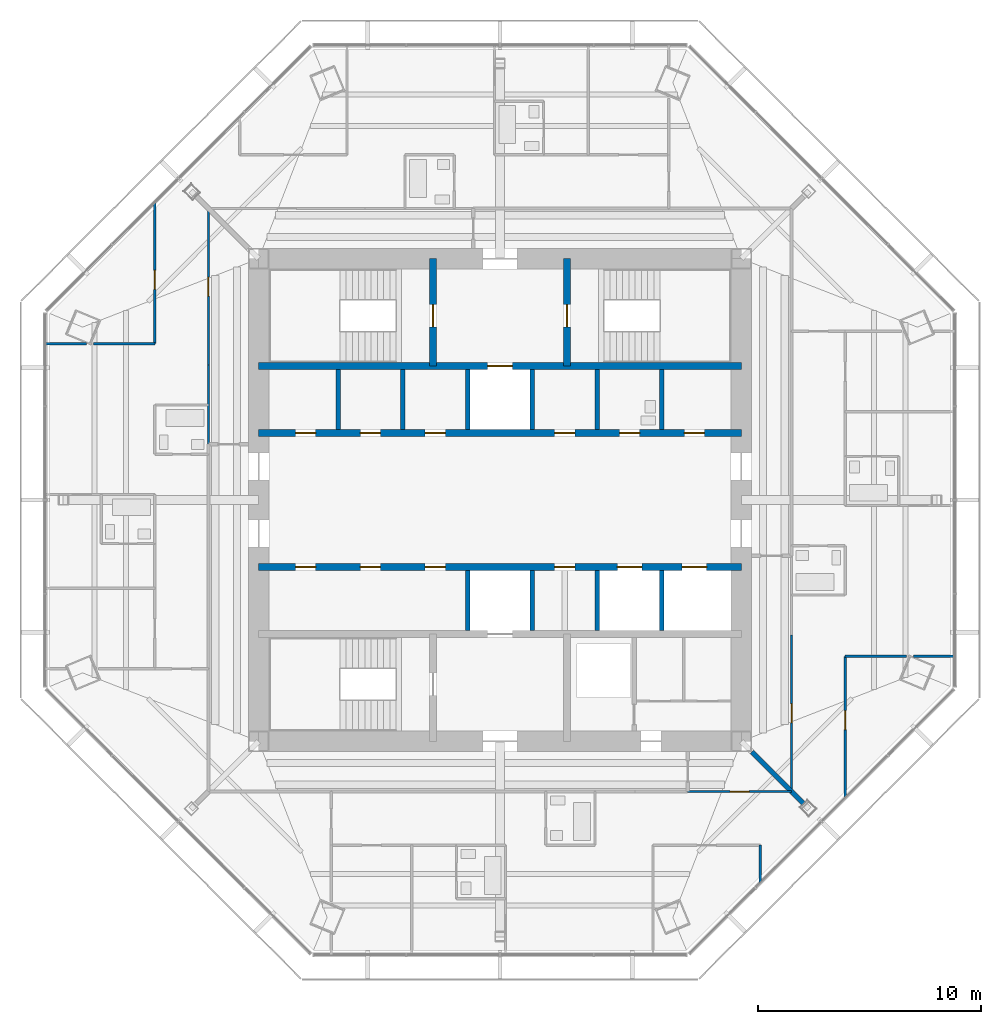
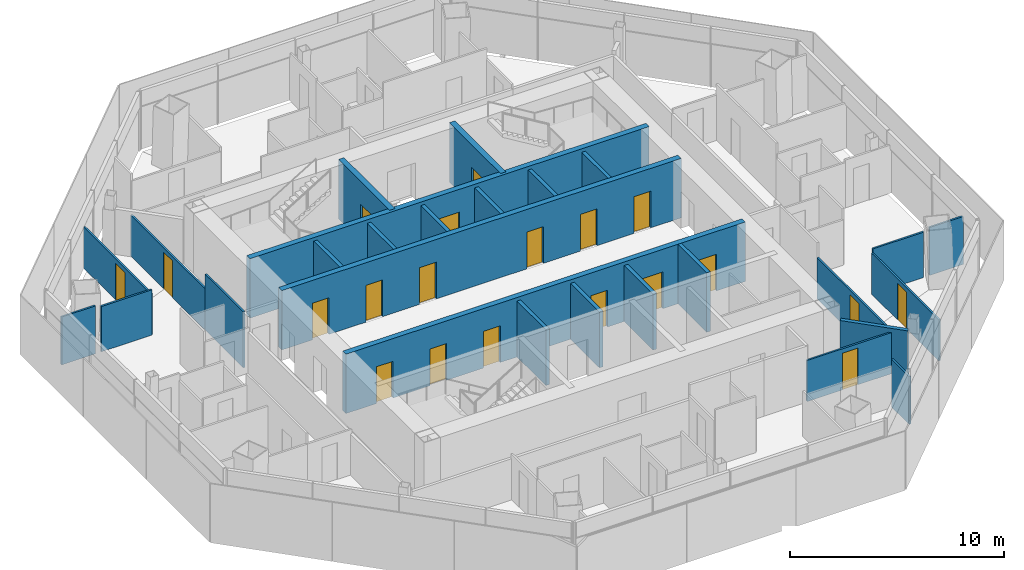
# One storey, part 11 of 15: 27 walls, 20 doors, 20 openings.
"""IFC4 building model written with IfcOpenShell, lengths in metres."""

from ifc_helpers import new_model, si_unit, direction, frame, frame_2d, origin, place, context, subcontext, project, spatial, rectangle, extrude, material, layer, layer_set, type_object, element, fill, save


model = new_model("IFC4")

# Units and contexts
model_context = context("Model", 3, precision=1e-05, world=origin(), true_north=direction((0.0, 1.0)))
body_context = subcontext(model_context, "Body", "Model", "MODEL_VIEW")
ifc_project = project(units=[si_unit("LENGTHUNIT", "METRE"), si_unit("AREAUNIT", "SQUARE_METRE"), si_unit("VOLUMEUNIT", "CUBIC_METRE"), si_unit("PLANEANGLEUNIT", "RADIAN"), si_unit("MASSUNIT", "GRAM", prefix="KILO")], contexts=[model_context])

# Site, building, storey
site_placement = place(None, origin())
site = spatial("IfcSite", under=ifc_project, at=site_placement, CompositionType="ELEMENT")
building_placement = place(site_placement, origin())
building = spatial("IfcBuilding", under=site, at=building_placement, Name="Mashrafa Tower", CompositionType="ELEMENT")
storey_placement = place(building_placement, frame((0.0, 0.0, 270.800048828125)))
storey = spatial("IfcBuildingStorey", under=building, at=storey_placement, Name="L65", CompositionType="ELEMENT", Elevation=270.800048828125)

# Wall
ifc_material_1 = material(Name="Gypsum board on steel studs", Category="steel")
ifc_layer_1 = layer(ifc_material_1, 0.199951171875)
ifc_layer_set_1 = layer_set([ifc_layer_1], Name="Acoustic partition 200 1 hr")
wall_type_1 = type_object("IfcWallType", Name="Acoustic partition 200 1 hr", PredefinedType="PARTITIONING", material=ifc_layer_set_1)
wall_1_placement = place(storey_placement, frame((13.586181640625, -13.586181640625, 0.0), z_axis=(0.0, 0.0, 1.0), x_axis=(-0.707106781187, 0.707106781187, 0.0)))
element("IfcWall", 1, at=wall_1_placement, inside=storey, type_object=wall_type_1, Name="Acoustic wall L65-047", PredefinedType="PARTITIONING", context=body_context, shape_type="SweptSolid", body=[
    extrude(rectangle(XDim=3.27685546875, YDim=0.199951171875, at=frame_2d((1.638427734375, 0.0))), origin(), (0.0, 0.0, 1.0), 2.590576171875),
])

# Wall, openings, doors
ifc_material_2 = material(Name="Concrete C50/60", Category="concrete")
ifc_layer_2 = layer(ifc_material_2, 0.300048828125)
ifc_layer_set_2 = layer_set([ifc_layer_2], Name="Core wall 300 C50/60")
wall_type_2 = type_object("IfcWallType", Name="Core wall 300 C50/60", PredefinedType="SOLIDWALL", material=ifc_layer_set_2)
wall_2_placement = place(storey_placement, frame((-10.800048828125, 3.0, 0.0), z_axis=(0.0, 0.0, 1.0), x_axis=(1.0, 0.0, 0.0)))
wall_2 = element("IfcWall", 2, at=wall_2_placement, inside=storey, type_object=wall_type_2, Name="Core wall CH-N L65", PredefinedType="SOLIDWALL", context=body_context, shape_type="SweptSolid", body=[
    extrude(rectangle(XDim=21.60009765625, YDim=0.300048828125, at=frame_2d((10.800048828125, 0.0))), origin(), (0.0, 0.0, 1.0), 3.39990234375),
])
opening_1_placement = place(wall_2_placement, frame((1.64990234375, 0.0, 0.0)))
opening_1 = element("IfcOpeningElement", 3, at=opening_1_placement, cuts=wall_2, Name="Opening 65.046", PredefinedType="OPENING", context=body_context, shape_type="SweptSolid", body=[
    extrude(rectangle(XDim=0.89990234375, YDim=2.10009765625, at=frame_2d((0.449951171875, 1.050048828125))), frame((0.0, 0.159912109375, 0.0), z_axis=(0.0, -1.0, 0.0), x_axis=(1.0, 0.0, 0.0)), (0.0, 0.0, 1.0), 0.320068359375),
])
opening_2_placement = place(wall_2_placement, frame((13.25, 0.0, 0.0)))
opening_2 = element("IfcOpeningElement", 4, at=opening_2_placement, cuts=wall_2, Name="Opening 65.047", PredefinedType="OPENING", context=body_context, shape_type="SweptSolid", body=[
    extrude(rectangle(XDim=0.89990234375, YDim=2.10009765625, at=frame_2d((0.449951171875, 1.050048828125))), frame((0.0, 0.159912109375, 0.0), z_axis=(0.0, -1.0, 0.0), x_axis=(1.0, 0.0, 0.0)), (0.0, 0.0, 1.0), 0.320068359375),
])
opening_3_placement = place(wall_2_placement, frame((16.14990234375, 0.0, 0.0)))
opening_3 = element("IfcOpeningElement", 5, at=opening_3_placement, cuts=wall_2, Name="Opening 65.048", PredefinedType="OPENING", context=body_context, shape_type="SweptSolid", body=[
    extrude(rectangle(XDim=0.89990234375, YDim=2.10009765625, at=frame_2d((0.449951171875, 1.050048828125))), frame((0.0, 0.159912109375, 0.0), z_axis=(0.0, -1.0, 0.0), x_axis=(1.0, 0.0, 0.0)), (0.0, 0.0, 1.0), 0.320068359375),
])
opening_4_placement = place(wall_2_placement, frame((4.550048828125, 0.0, 0.0)))
opening_4 = element("IfcOpeningElement", 6, at=opening_4_placement, cuts=wall_2, Name="Opening 65.053", PredefinedType="OPENING", context=body_context, shape_type="SweptSolid", body=[
    extrude(rectangle(XDim=0.89990234375, YDim=2.10009765625, at=frame_2d((0.449951171875, 1.050048828125))), frame((0.0, 0.159912109375, 0.0), z_axis=(0.0, -1.0, 0.0), x_axis=(1.0, 0.0, 0.0)), (0.0, 0.0, 1.0), 0.320068359375),
])
opening_5_placement = place(wall_2_placement, frame((7.449951171875, 0.0, 0.0)))
opening_5 = element("IfcOpeningElement", 7, at=opening_5_placement, cuts=wall_2, Name="Opening 65.054", PredefinedType="OPENING", context=body_context, shape_type="SweptSolid", body=[
    extrude(rectangle(XDim=0.89990234375, YDim=2.10009765625, at=frame_2d((0.449951171875, 1.050048828125))), frame((0.0, 0.159912109375, 0.0), z_axis=(0.0, -1.0, 0.0), x_axis=(1.0, 0.0, 0.0)), (0.0, 0.0, 1.0), 0.320068359375),
])
opening_6_placement = place(wall_2_placement, frame((19.050048828125, 0.0, 0.0)))
opening_6 = element("IfcOpeningElement", 8, at=opening_6_placement, cuts=wall_2, Name="Opening 65.055", PredefinedType="OPENING", context=body_context, shape_type="SweptSolid", body=[
    extrude(rectangle(XDim=0.89990234375, YDim=2.10009765625, at=frame_2d((0.449951171875, 1.050048828125))), frame((0.0, 0.159912109375, 0.0), z_axis=(0.0, -1.0, 0.0), x_axis=(1.0, 0.0, 0.0)), (0.0, 0.0, 1.0), 0.320068359375),
])
ifc_material_3 = material(Name="Timber door", Category="wood")
door_type_1 = type_object("IfcDoorType", Name="Store door 900 x 2100", OperationType="USERDEFINED", PredefinedType="DOOR", material=ifc_material_3)
door_1_placement = place(opening_1_placement, origin())
door_1 = element("IfcDoor", 9, at=door_1_placement, inside=storey, type_object=door_type_1, Name="Refuse Chute Room L65 door", OperationType="SINGLE_SWING_RIGHT", OverallHeight=2.10009765625, OverallWidth=0.89990234375, PredefinedType="DOOR", context=body_context, shape_type="SweptSolid", body=[
    extrude(rectangle(XDim=0.89990234375, YDim=2.10009765625, at=frame_2d((0.449951171875, 1.050048828125))), frame((0.0, 0.02490234375, 0.0), z_axis=(0.0, -1.0, 0.0), x_axis=(1.0, 0.0, 0.0)), (0.0, 0.0, 1.0), 0.050048828125),
])
fill(opening_1, door_1)
door_2_placement = place(opening_2_placement, origin())
door_2 = element("IfcDoor", 10, at=door_2_placement, inside=storey, type_object=door_type_1, Name="Cleaner's Store L65 door", OperationType="SINGLE_SWING_LEFT", OverallHeight=2.10009765625, OverallWidth=0.89990234375, PredefinedType="DOOR", context=body_context, shape_type="SweptSolid", body=[
    extrude(rectangle(XDim=0.89990234375, YDim=2.10009765625, at=frame_2d((0.449951171875, 1.050048828125))), frame((0.0, 0.02490234375, 0.0), z_axis=(0.0, -1.0, 0.0), x_axis=(1.0, 0.0, 0.0)), (0.0, 0.0, 1.0), 0.050048828125),
])
fill(opening_2, door_2)
door_3_placement = place(opening_4_placement, origin())
door_3 = element("IfcDoor", 11, at=door_3_placement, inside=storey, type_object=door_type_1, Name="Residents' Store L65-A2 door", OperationType="SINGLE_SWING_LEFT", OverallHeight=2.10009765625, OverallWidth=0.89990234375, PredefinedType="DOOR", context=body_context, shape_type="SweptSolid", body=[
    extrude(rectangle(XDim=0.89990234375, YDim=2.10009765625, at=frame_2d((0.449951171875, 1.050048828125))), frame((0.0, 0.02490234375, 0.0), z_axis=(0.0, -1.0, 0.0), x_axis=(1.0, 0.0, 0.0)), (0.0, 0.0, 1.0), 0.050048828125),
])
fill(opening_4, door_3)
door_4_placement = place(opening_5_placement, origin())
door_4 = element("IfcDoor", 12, at=door_4_placement, inside=storey, type_object=door_type_1, Name="Residents' Store L65-A3 door", OperationType="SINGLE_SWING_LEFT", OverallHeight=2.10009765625, OverallWidth=0.89990234375, PredefinedType="DOOR", context=body_context, shape_type="SweptSolid", body=[
    extrude(rectangle(XDim=0.89990234375, YDim=2.10009765625, at=frame_2d((0.449951171875, 1.050048828125))), frame((0.0, 0.02490234375, 0.0), z_axis=(0.0, -1.0, 0.0), x_axis=(1.0, 0.0, 0.0)), (0.0, 0.0, 1.0), 0.050048828125),
])
fill(opening_5, door_4)
door_5_placement = place(opening_6_placement, origin())
door_5 = element("IfcDoor", 13, at=door_5_placement, inside=storey, type_object=door_type_1, Name="Residents' Store L65-K2 door", OperationType="SINGLE_SWING_LEFT", OverallHeight=2.10009765625, OverallWidth=0.89990234375, PredefinedType="DOOR", context=body_context, shape_type="SweptSolid", body=[
    extrude(rectangle(XDim=0.89990234375, YDim=2.10009765625, at=frame_2d((0.449951171875, 1.050048828125))), frame((0.0, 0.02490234375, 0.0), z_axis=(0.0, -1.0, 0.0), x_axis=(1.0, 0.0, 0.0)), (0.0, 0.0, 1.0), 0.050048828125),
])
fill(opening_6, door_5)
ifc_material_4 = material(Name="Timber door", Category="wood")
door_type_2 = type_object("IfcDoorType", Name="Toilet door 900 x 2100", OperationType="USERDEFINED", PredefinedType="DOOR", material=ifc_material_4)
door_6_placement = place(opening_3_placement, origin())
door_6 = element("IfcDoor", 14, at=door_6_placement, inside=storey, type_object=door_type_2, Name="Staff WC L65 door", OperationType="SINGLE_SWING_LEFT", OverallHeight=2.10009765625, OverallWidth=0.89990234375, PredefinedType="DOOR", context=body_context, shape_type="SweptSolid", body=[
    extrude(rectangle(XDim=0.89990234375, YDim=2.10009765625, at=frame_2d((0.449951171875, 1.050048828125))), frame((0.0, 0.02490234375, 0.0), z_axis=(0.0, -1.0, 0.0), x_axis=(1.0, 0.0, 0.0)), (0.0, 0.0, 1.0), 0.050048828125),
])
fill(opening_3, door_6)

# Wall, opening, door
wall_3_placement = place(storey_placement, frame((-10.800048828125, 6.0, 0.0), z_axis=(0.0, 0.0, 1.0), x_axis=(1.0, 0.0, 0.0)))
wall_3 = element("IfcWall", 15, at=wall_3_placement, inside=storey, type_object=wall_type_2, Name="Core wall CB-N L65", PredefinedType="SOLIDWALL", context=body_context, shape_type="SweptSolid", body=[
    extrude(rectangle(XDim=21.60009765625, YDim=0.300048828125, at=frame_2d((10.800048828125, 0.0))), origin(), (0.0, 0.0, 1.0), 3.39990234375),
])
opening_7_placement = place(wall_3_placement, frame((10.25, 0.0, 0.0)))
opening_7 = element("IfcOpeningElement", 16, at=opening_7_placement, cuts=wall_3, Name="Opening 65.F1", PredefinedType="OPENING", context=body_context, shape_type="SweptSolid", body=[
    extrude(rectangle(XDim=1.10009765625, YDim=2.10009765625, at=frame_2d((0.550048828125, 1.050048828125))), frame((0.0, 0.159912109375, 0.0), z_axis=(0.0, -1.0, 0.0), x_axis=(1.0, 0.0, 0.0)), (0.0, 0.0, 1.0), 0.320068359375),
])
ifc_material_5 = material(Name="Steel door", Category="steel")
door_type_3 = type_object("IfcDoorType", Name="Lift landing door 1100 x 2100 90 min", OperationType="DOUBLE_DOOR_SLIDING", PredefinedType="DOOR", material=ifc_material_5)
door_7_placement = place(opening_7_placement, origin())
door_7 = element("IfcDoor", 17, at=door_7_placement, inside=storey, type_object=door_type_3, Name="Lift landing door F1 L65", OperationType="DOUBLE_DOOR_SLIDING", OverallHeight=2.10009765625, OverallWidth=1.10009765625, PredefinedType="DOOR", context=body_context, shape_type="SweptSolid", body=[
    extrude(rectangle(XDim=1.10009765625, YDim=2.10009765625, at=frame_2d((0.550048828125, 1.050048828125))), frame((0.0, 0.02490234375, 0.0), z_axis=(0.0, -1.0, 0.0), x_axis=(1.0, 0.0, 0.0)), (0.0, 0.0, 1.0), 0.050048828125),
])
fill(opening_7, door_7)

wall_4_placement = place(storey_placement, frame((-3.0, 6.0, 0.0), z_axis=(0.0, 0.0, 1.0), x_axis=(0.0, 1.0, 0.0)))
wall_4 = element("IfcWall", 18, at=wall_4_placement, inside=storey, type_object=wall_type_2, Name="Core wall CX-NW L65", PredefinedType="SOLIDWALL", context=body_context, shape_type="SweptSolid", body=[
    extrude(rectangle(XDim=4.800048828125, YDim=0.300048828125, at=frame_2d((2.39990234375, 0.0))), origin(), (0.0, 0.0, 1.0), 3.39990234375),
])
opening_8_placement = place(wall_4_placement, frame((1.75, 0.0, 0.0)))
opening_8 = element("IfcOpeningElement", 19, at=opening_8_placement, cuts=wall_4, Name="Opening 65.039", PredefinedType="OPENING", context=body_context, shape_type="SweptSolid", body=[
    extrude(rectangle(XDim=1.0, YDim=2.10009765625, at=frame_2d((0.5, 1.050048828125))), frame((0.0, 0.159912109375, 0.0), z_axis=(0.0, -1.0, 0.0), x_axis=(1.0, 0.0, 0.0)), (0.0, 0.0, 1.0), 0.320068359375),
])
ifc_material_6 = material(Name="Steel door", Category="steel")
door_type_4 = type_object("IfcDoorType", Name="Stair door 1000 x 2100 90 min", OperationType="USERDEFINED", PredefinedType="DOOR", material=ifc_material_6)
door_8_placement = place(opening_8_placement, origin())
door_8 = element("IfcDoor", 20, at=door_8_placement, inside=storey, type_object=door_type_4, Name="Stair S1 door L65", OperationType="SINGLE_SWING_LEFT", OverallHeight=2.10009765625, OverallWidth=1.0, PredefinedType="DOOR", context=body_context, shape_type="SweptSolid", body=[
    extrude(rectangle(XDim=1.0, YDim=2.10009765625, at=frame_2d((0.5, 1.050048828125))), frame((0.0, 0.02490234375, 0.0), z_axis=(0.0, -1.0, 0.0), x_axis=(1.0, 0.0, 0.0)), (0.0, 0.0, 1.0), 0.050048828125),
])
fill(opening_8, door_8)

wall_5_placement = place(storey_placement, frame((3.0, 6.0, 0.0), z_axis=(0.0, 0.0, 1.0), x_axis=(0.0, 1.0, 0.0)))
wall_5 = element("IfcWall", 21, at=wall_5_placement, inside=storey, type_object=wall_type_2, Name="Core wall CX-NE L65", PredefinedType="SOLIDWALL", context=body_context, shape_type="SweptSolid", body=[
    extrude(rectangle(XDim=4.800048828125, YDim=0.300048828125, at=frame_2d((2.39990234375, 0.0))), origin(), (0.0, 0.0, 1.0), 3.39990234375),
])
opening_9_placement = place(wall_5_placement, frame((1.75, 0.0, 0.0)))
opening_9 = element("IfcOpeningElement", 22, at=opening_9_placement, cuts=wall_5, Name="Opening 65.040", PredefinedType="OPENING", context=body_context, shape_type="SweptSolid", body=[
    extrude(rectangle(XDim=1.0, YDim=2.10009765625, at=frame_2d((0.5, 1.050048828125))), frame((0.0, 0.159912109375, 0.0), z_axis=(0.0, -1.0, 0.0), x_axis=(1.0, 0.0, 0.0)), (0.0, 0.0, 1.0), 0.320068359375),
])
door_9_placement = place(opening_9_placement, frame((1.0, 0.0, 0.0), z_axis=(0.0, 0.0, 1.0), x_axis=(-1.0, 0.0, 0.0)))
door_9 = element("IfcDoor", 23, at=door_9_placement, inside=storey, type_object=door_type_4, Name="Stair S2 door L65", OperationType="SINGLE_SWING_RIGHT", OverallHeight=2.10009765625, OverallWidth=1.0, PredefinedType="DOOR", context=body_context, shape_type="SweptSolid", body=[
    extrude(rectangle(XDim=1.0, YDim=2.10009765625, at=frame_2d((0.5, 1.050048828125))), frame((0.0, 0.02490234375, 0.0), z_axis=(0.0, -1.0, 0.0), x_axis=(1.0, 0.0, 0.0)), (0.0, 0.0, 1.0), 0.050048828125),
])
fill(opening_9, door_9)

# Wall, openings, doors
wall_6_placement = place(storey_placement, frame((-10.800048828125, -3.0, 0.0), z_axis=(0.0, 0.0, 1.0), x_axis=(1.0, 0.0, 0.0)))
wall_6 = element("IfcWall", 24, at=wall_6_placement, inside=storey, type_object=wall_type_2, Name="Core wall CH-S L65", PredefinedType="SOLIDWALL", context=body_context, shape_type="SweptSolid", body=[
    extrude(rectangle(XDim=21.60009765625, YDim=0.300048828125, at=frame_2d((10.800048828125, 0.0))), origin(), (0.0, 0.0, 1.0), 3.39990234375),
])
opening_10_placement = place(wall_6_placement, frame((13.25, 0.0, 0.0)))
opening_10 = element("IfcOpeningElement", 25, at=opening_10_placement, cuts=wall_6, Name="Opening 65.049", PredefinedType="OPENING", context=body_context, shape_type="SweptSolid", body=[
    extrude(rectangle(XDim=0.89990234375, YDim=2.10009765625, at=frame_2d((0.449951171875, 1.050048828125))), frame((0.0, 0.159912109375, 0.0), z_axis=(0.0, -1.0, 0.0), x_axis=(1.0, 0.0, 0.0)), (0.0, 0.0, 1.0), 0.320068359375),
])
opening_11_placement = place(wall_6_placement, frame((1.64990234375, 0.0, 0.0)))
opening_11 = element("IfcOpeningElement", 26, at=opening_11_placement, cuts=wall_6, Name="Opening 65.050", PredefinedType="OPENING", context=body_context, shape_type="SweptSolid", body=[
    extrude(rectangle(XDim=0.89990234375, YDim=2.10009765625, at=frame_2d((0.449951171875, 1.050048828125))), frame((0.0, 0.159912109375, 0.0), z_axis=(0.0, -1.0, 0.0), x_axis=(1.0, 0.0, 0.0)), (0.0, 0.0, 1.0), 0.320068359375),
])
opening_12_placement = place(wall_6_placement, frame((4.550048828125, 0.0, 0.0)))
opening_12 = element("IfcOpeningElement", 27, at=opening_12_placement, cuts=wall_6, Name="Opening 65.051", PredefinedType="OPENING", context=body_context, shape_type="SweptSolid", body=[
    extrude(rectangle(XDim=0.89990234375, YDim=2.10009765625, at=frame_2d((0.449951171875, 1.050048828125))), frame((0.0, 0.159912109375, 0.0), z_axis=(0.0, -1.0, 0.0), x_axis=(1.0, 0.0, 0.0)), (0.0, 0.0, 1.0), 0.320068359375),
])
opening_13_placement = place(wall_6_placement, frame((7.449951171875, 0.0, 0.0)))
opening_13 = element("IfcOpeningElement", 28, at=opening_13_placement, cuts=wall_6, Name="Opening 65.052", PredefinedType="OPENING", context=body_context, shape_type="SweptSolid", body=[
    extrude(rectangle(XDim=0.89990234375, YDim=2.10009765625, at=frame_2d((0.449951171875, 1.050048828125))), frame((0.0, 0.159912109375, 0.0), z_axis=(0.0, -1.0, 0.0), x_axis=(1.0, 0.0, 0.0)), (0.0, 0.0, 1.0), 0.320068359375),
])
opening_14_placement = place(wall_6_placement, frame((16.050048828125, 0.0, 0.0)))
opening_14 = element("IfcOpeningElement", 29, at=opening_14_placement, cuts=wall_6, Name="Opening 65.R1", PredefinedType="OPENING", context=body_context, shape_type="SweptSolid", body=[
    extrude(rectangle(XDim=1.10009765625, YDim=2.10009765625, at=frame_2d((0.550048828125, 1.050048828125))), frame((0.0, 0.159912109375, 0.0), z_axis=(0.0, -1.0, 0.0), x_axis=(1.0, 0.0, 0.0)), (0.0, 0.0, 1.0), 0.320068359375),
])
opening_15_placement = place(wall_6_placement, frame((18.949951171875, 0.0, 0.0)))
opening_15 = element("IfcOpeningElement", 30, at=opening_15_placement, cuts=wall_6, Name="Opening 65.R2", PredefinedType="OPENING", context=body_context, shape_type="SweptSolid", body=[
    extrude(rectangle(XDim=1.10009765625, YDim=2.10009765625, at=frame_2d((0.550048828125, 1.050048828125))), frame((0.0, 0.159912109375, 0.0), z_axis=(0.0, -1.0, 0.0), x_axis=(1.0, 0.0, 0.0)), (0.0, 0.0, 1.0), 0.320068359375),
])
door_10_placement = place(opening_14_placement, origin())
door_10 = element("IfcDoor", 31, at=door_10_placement, inside=storey, type_object=door_type_3, Name="Lift landing door R1 L65", OperationType="DOUBLE_DOOR_SLIDING", OverallHeight=2.10009765625, OverallWidth=1.10009765625, PredefinedType="DOOR", context=body_context, shape_type="SweptSolid", body=[
    extrude(rectangle(XDim=1.10009765625, YDim=2.10009765625, at=frame_2d((0.550048828125, 1.050048828125))), frame((0.0, 0.02490234375, 0.0), z_axis=(0.0, -1.0, 0.0), x_axis=(1.0, 0.0, 0.0)), (0.0, 0.0, 1.0), 0.050048828125),
])
fill(opening_14, door_10)
door_11_placement = place(opening_15_placement, origin())
door_11 = element("IfcDoor", 32, at=door_11_placement, inside=storey, type_object=door_type_3, Name="Lift landing door R2 L65", OperationType="DOUBLE_DOOR_SLIDING", OverallHeight=2.10009765625, OverallWidth=1.10009765625, PredefinedType="DOOR", context=body_context, shape_type="SweptSolid", body=[
    extrude(rectangle(XDim=1.10009765625, YDim=2.10009765625, at=frame_2d((0.550048828125, 1.050048828125))), frame((0.0, 0.02490234375, 0.0), z_axis=(0.0, -1.0, 0.0), x_axis=(1.0, 0.0, 0.0)), (0.0, 0.0, 1.0), 0.050048828125),
])
fill(opening_15, door_11)
door_12_placement = place(opening_10_placement, frame((0.89990234375, 0.0, 0.0), z_axis=(0.0, 0.0, 1.0), x_axis=(-1.0, 0.0, 0.0)))
door_12 = element("IfcDoor", 33, at=door_12_placement, inside=storey, type_object=door_type_1, Name="Linen Store L65 door", OperationType="SINGLE_SWING_RIGHT", OverallHeight=2.10009765625, OverallWidth=0.89990234375, PredefinedType="DOOR", context=body_context, shape_type="SweptSolid", body=[
    extrude(rectangle(XDim=0.89990234375, YDim=2.10009765625, at=frame_2d((0.449951171875, 1.050048828125))), frame((0.0, 0.02490234375, 0.0), z_axis=(0.0, -1.0, 0.0), x_axis=(1.0, 0.0, 0.0)), (0.0, 0.0, 1.0), 0.050048828125),
])
fill(opening_10, door_12)
door_13_placement = place(opening_11_placement, frame((0.89990234375, 0.0, 0.0), z_axis=(0.0, 0.0, 1.0), x_axis=(-1.0, 0.0, 0.0)))
door_13 = element("IfcDoor", 34, at=door_13_placement, inside=storey, type_object=door_type_1, Name="Residents' Storage Room L65 door", OperationType="SINGLE_SWING_RIGHT", OverallHeight=2.10009765625, OverallWidth=0.89990234375, PredefinedType="DOOR", context=body_context, shape_type="SweptSolid", body=[
    extrude(rectangle(XDim=0.89990234375, YDim=2.10009765625, at=frame_2d((0.449951171875, 1.050048828125))), frame((0.0, 0.02490234375, 0.0), z_axis=(0.0, -1.0, 0.0), x_axis=(1.0, 0.0, 0.0)), (0.0, 0.0, 1.0), 0.050048828125),
])
fill(opening_11, door_13)
door_14_placement = place(opening_12_placement, frame((0.89990234375, 0.0, 0.0), z_axis=(0.0, 0.0, 1.0), x_axis=(-1.0, 0.0, 0.0)))
door_14 = element("IfcDoor", 35, at=door_14_placement, inside=storey, type_object=door_type_1, Name="Residents' Storage Room L65 door", OperationType="SINGLE_SWING_LEFT", OverallHeight=2.10009765625, OverallWidth=0.89990234375, PredefinedType="DOOR", context=body_context, shape_type="SweptSolid", body=[
    extrude(rectangle(XDim=0.89990234375, YDim=2.10009765625, at=frame_2d((0.449951171875, 1.050048828125))), frame((0.0, 0.02490234375, 0.0), z_axis=(0.0, -1.0, 0.0), x_axis=(1.0, 0.0, 0.0)), (0.0, 0.0, 1.0), 0.050048828125),
])
fill(opening_12, door_14)
door_15_placement = place(opening_13_placement, frame((0.89990234375, 0.0, 0.0), z_axis=(0.0, 0.0, 1.0), x_axis=(-1.0, 0.0, 0.0)))
door_15 = element("IfcDoor", 36, at=door_15_placement, inside=storey, type_object=door_type_1, Name="Residents' Storage Room L65 door", OperationType="SINGLE_SWING_LEFT", OverallHeight=2.10009765625, OverallWidth=0.89990234375, PredefinedType="DOOR", context=body_context, shape_type="SweptSolid", body=[
    extrude(rectangle(XDim=0.89990234375, YDim=2.10009765625, at=frame_2d((0.449951171875, 1.050048828125))), frame((0.0, 0.02490234375, 0.0), z_axis=(0.0, -1.0, 0.0), x_axis=(1.0, 0.0, 0.0)), (0.0, 0.0, 1.0), 0.050048828125),
])
fill(opening_13, door_15)

# Walls
ifc_material_7 = material(Name="Gypsum board on steel studs", Category="steel")
ifc_layer_3 = layer(ifc_material_7, 0.10009765625)
ifc_layer_set_3 = layer_set([ifc_layer_3], Name="Partition 100")
wall_type_3 = type_object("IfcWallType", Name="Partition 100", PredefinedType="PARTITIONING", material=ifc_layer_set_3)
wall_7_placement = place(storey_placement, frame((20.336181640625, -6.998779296875, 0.0), z_axis=(0.0, 0.0, 1.0), x_axis=(-1.0, 0.0, 0.0)))
element("IfcWall", 37, at=wall_7_placement, inside=storey, type_object=wall_type_3, Name="Partition wall L65-018", PredefinedType="PARTITIONING", context=body_context, shape_type="SweptSolid", body=[
    extrude(rectangle(XDim=1.822265625, YDim=0.10009765625, at=frame_2d((0.9111328125, 0.0))), origin(), (0.0, 0.0, 1.0), 2.740234375),
])
wall_8_placement = place(storey_placement, frame((18.1982421875, -6.998779296875, 0.0), z_axis=(0.0, 0.0, 1.0), x_axis=(-1.0, 0.0, 0.0)))
element("IfcWall", 38, at=wall_8_placement, inside=storey, type_object=wall_type_3, Name="Partition wall L65-019", PredefinedType="PARTITIONING", context=body_context, shape_type="SweptSolid", body=[
    extrude(rectangle(XDim=2.748291015625, YDim=0.10009765625, at=frame_2d((1.3740234375, 0.0))), origin(), (0.0, 0.0, 1.0), 2.590576171875),
])

# Wall, opening, door
wall_9_placement = place(storey_placement, frame((15.449951171875, -6.998779296875, 0.0), z_axis=(0.0, 0.0, 1.0), x_axis=(0.0, -1.0, 0.0)))
wall_9 = element("IfcWall", 39, at=wall_9_placement, inside=storey, type_object=wall_type_3, Name="Partition wall L65-020", PredefinedType="PARTITIONING", context=body_context, shape_type="SweptSolid", body=[
    extrude(rectangle(XDim=6.314453125, YDim=0.10009765625, at=frame_2d((3.1572265625, 0.0))), origin(), (0.0, 0.0, 1.0), 2.349365234375),
])
opening_16_placement = place(wall_9_placement, frame((2.425048828125, 0.0, 0.0)))
opening_16 = element("IfcOpeningElement", 40, at=opening_16_placement, cuts=wall_9, Name="Opening 65.001", PredefinedType="OPENING", context=body_context, shape_type="SweptSolid", body=[
    extrude(rectangle(XDim=0.85009765625, YDim=2.10009765625, at=frame_2d((0.425048828125, 1.050048828125))), frame((0.0, 0.06005859375, 0.0), z_axis=(0.0, -1.0, 0.0), x_axis=(1.0, 0.0, 0.0)), (0.0, 0.0, 1.0), 0.1201171875),
])
ifc_material_8 = material(Name="Timber door", Category="wood")
door_type_5 = type_object("IfcDoorType", Name="Bedroom door 850 x 2100", OperationType="USERDEFINED", PredefinedType="DOOR", material=ifc_material_8)
door_16_placement = place(opening_16_placement, origin())
door_16 = element("IfcDoor", 41, at=door_16_placement, inside=storey, type_object=door_type_5, Name="Apartment 6501 Dining Room door", OperationType="SINGLE_SWING_RIGHT", OverallHeight=2.10009765625, OverallWidth=0.85009765625, PredefinedType="DOOR", context=body_context, shape_type="SweptSolid", body=[
    extrude(rectangle(XDim=0.85009765625, YDim=2.10009765625, at=frame_2d((0.425048828125, 1.050048828125))), frame((0.0, 0.02490234375, 0.0), z_axis=(0.0, -1.0, 0.0), x_axis=(1.0, 0.0, 0.0)), (0.0, 0.0, 1.0), 0.050048828125),
])
fill(opening_16, door_16)

# Walls
wall_10_placement = place(storey_placement, frame((-20.336181640625, 6.998779296875, 0.0), z_axis=(0.0, 0.0, 1.0), x_axis=(1.0, 0.0, 0.0)))
element("IfcWall", 42, at=wall_10_placement, inside=storey, type_object=wall_type_3, Name="Partition wall L65-024", PredefinedType="PARTITIONING", context=body_context, shape_type="SweptSolid", body=[
    extrude(rectangle(XDim=1.822265625, YDim=0.10009765625, at=frame_2d((0.9111328125, 0.0))), origin(), (0.0, 0.0, 1.0), 2.740234375),
])
wall_11_placement = place(storey_placement, frame((-18.1982421875, 6.998779296875, 0.0), z_axis=(0.0, 0.0, 1.0), x_axis=(1.0, 0.0, 0.0)))
element("IfcWall", 43, at=wall_11_placement, inside=storey, type_object=wall_type_3, Name="Partition wall L65-025", PredefinedType="PARTITIONING", context=body_context, shape_type="SweptSolid", body=[
    extrude(rectangle(XDim=2.748291015625, YDim=0.10009765625, at=frame_2d((1.3740234375, 0.0))), origin(), (0.0, 0.0, 1.0), 2.590576171875),
])

# Wall, opening, door
wall_12_placement = place(storey_placement, frame((-15.449951171875, 6.998779296875, 0.0), z_axis=(0.0, 0.0, 1.0), x_axis=(0.0, 1.0, 0.0)))
wall_12 = element("IfcWall", 44, at=wall_12_placement, inside=storey, type_object=wall_type_3, Name="Partition wall L65-026", PredefinedType="PARTITIONING", context=body_context, shape_type="SweptSolid", body=[
    extrude(rectangle(XDim=6.314453125, YDim=0.10009765625, at=frame_2d((3.1572265625, 0.0))), origin(), (0.0, 0.0, 1.0), 2.349365234375),
])
opening_17_placement = place(wall_12_placement, frame((2.425048828125, 0.0, 0.0)))
opening_17 = element("IfcOpeningElement", 45, at=opening_17_placement, cuts=wall_12, Name="Opening 65.003", PredefinedType="OPENING", context=body_context, shape_type="SweptSolid", body=[
    extrude(rectangle(XDim=0.85009765625, YDim=2.10009765625, at=frame_2d((0.425048828125, 1.050048828125))), frame((0.0, 0.06005859375, 0.0), z_axis=(0.0, -1.0, 0.0), x_axis=(1.0, 0.0, 0.0)), (0.0, 0.0, 1.0), 0.1201171875),
])
door_17_placement = place(opening_17_placement, origin())
door_17 = element("IfcDoor", 46, at=door_17_placement, inside=storey, type_object=door_type_5, Name="Apartment 6503 Dining Room door", OperationType="SINGLE_SWING_RIGHT", OverallHeight=2.10009765625, OverallWidth=0.85009765625, PredefinedType="DOOR", context=body_context, shape_type="SweptSolid", body=[
    extrude(rectangle(XDim=0.85009765625, YDim=2.10009765625, at=frame_2d((0.425048828125, 1.050048828125))), frame((0.0, 0.02490234375, 0.0), z_axis=(0.0, -1.0, 0.0), x_axis=(1.0, 0.0, 0.0)), (0.0, 0.0, 1.0), 0.050048828125),
])
fill(opening_17, door_17)

# Wall
wall_13_placement = place(storey_placement, frame((11.64990234375, -17.111328125, 0.0), z_axis=(0.0, 0.0, 1.0), x_axis=(0.0, 1.0, 0.0)))
element("IfcWall", 47, at=wall_13_placement, inside=storey, type_object=wall_type_3, Name="Partition wall L65-027", PredefinedType="PARTITIONING", context=body_context, shape_type="SweptSolid", body=[
    extrude(rectangle(XDim=1.661376953125, YDim=0.10009765625, at=frame_2d((0.83056640625, 0.0))), origin(), (0.0, 0.0, 1.0), 2.740234375),
])

# Wall, opening, door
wall_14_placement = place(storey_placement, frame((13.050048828125, -6.050048828125, 0.0), z_axis=(0.0, 0.0, 1.0), x_axis=(0.0, -1.0, 0.0)))
wall_14 = element("IfcWall", 48, at=wall_14_placement, inside=storey, type_object=wall_type_3, Name="Partition wall L65-048", PredefinedType="PARTITIONING", context=body_context, shape_type="SweptSolid", body=[
    extrude(rectangle(XDim=7.0, YDim=0.10009765625, at=frame_2d((3.5, 0.0))), origin(), (0.0, 0.0, 1.0), 2.349365234375),
])
opening_18_placement = place(wall_14_placement, frame((3.074951171875, 0.0, 0.0)))
opening_18 = element("IfcOpeningElement", 49, at=opening_18_placement, cuts=wall_14, Name="Opening 65.010", PredefinedType="OPENING", context=body_context, shape_type="SweptSolid", body=[
    extrude(rectangle(XDim=0.85009765625, YDim=2.10009765625, at=frame_2d((0.425048828125, 1.050048828125))), frame((0.0, 0.06005859375, 0.0), z_axis=(0.0, -1.0, 0.0), x_axis=(1.0, 0.0, 0.0)), (0.0, 0.0, 1.0), 0.1201171875),
])
door_18_placement = place(opening_18_placement, origin())
door_18 = element("IfcDoor", 50, at=door_18_placement, inside=storey, type_object=door_type_5, Name="Apartment 6501 Living Room door", OperationType="SINGLE_SWING_RIGHT", OverallHeight=2.10009765625, OverallWidth=0.85009765625, PredefinedType="DOOR", context=body_context, shape_type="SweptSolid", body=[
    extrude(rectangle(XDim=0.85009765625, YDim=2.10009765625, at=frame_2d((0.425048828125, 1.050048828125))), frame((0.0, 0.02490234375, 0.0), z_axis=(0.0, -1.0, 0.0), x_axis=(1.0, 0.0, 0.0)), (0.0, 0.0, 1.0), 0.050048828125),
])
fill(opening_18, door_18)

# Wall
wall_15_placement = place(storey_placement, frame((-13.050048828125, 6.050048828125, 0.0), z_axis=(0.0, 0.0, 1.0), x_axis=(0.0, -1.0, 0.0)))
element("IfcWall", 51, at=wall_15_placement, inside=storey, type_object=wall_type_3, Name="Partition wall L65-069", PredefinedType="PARTITIONING", context=body_context, shape_type="SweptSolid", body=[
    extrude(rectangle(XDim=3.551025390625, YDim=0.10009765625, at=frame_2d((1.775390625, 0.0))), origin(), (0.0, 0.0, 1.0), 3.199951171875),
])

# Wall, opening, door
wall_16_placement = place(storey_placement, frame((-13.050048828125, 6.050048828125, 0.0), z_axis=(0.0, 0.0, 1.0), x_axis=(0.0, 1.0, 0.0)))
wall_16 = element("IfcWall", 52, at=wall_16_placement, inside=storey, type_object=wall_type_3, Name="Partition wall L65-085", PredefinedType="PARTITIONING", context=body_context, shape_type="SweptSolid", body=[
    extrude(rectangle(XDim=7.0, YDim=0.10009765625, at=frame_2d((3.5, 0.0))), origin(), (0.0, 0.0, 1.0), 2.349365234375),
])
opening_19_placement = place(wall_16_placement, frame((3.074951171875, 0.0, 0.0)))
opening_19 = element("IfcOpeningElement", 53, at=opening_19_placement, cuts=wall_16, Name="Opening 65.022", PredefinedType="OPENING", context=body_context, shape_type="SweptSolid", body=[
    extrude(rectangle(XDim=0.85009765625, YDim=2.10009765625, at=frame_2d((0.425048828125, 1.050048828125))), frame((0.0, 0.06005859375, 0.0), z_axis=(0.0, -1.0, 0.0), x_axis=(1.0, 0.0, 0.0)), (0.0, 0.0, 1.0), 0.1201171875),
])
door_19_placement = place(opening_19_placement, origin())
door_19 = element("IfcDoor", 54, at=door_19_placement, inside=storey, type_object=door_type_5, Name="Apartment 6503 Living Room door", OperationType="SINGLE_SWING_RIGHT", OverallHeight=2.10009765625, OverallWidth=0.85009765625, PredefinedType="DOOR", context=body_context, shape_type="SweptSolid", body=[
    extrude(rectangle(XDim=0.85009765625, YDim=2.10009765625, at=frame_2d((0.425048828125, 1.050048828125))), frame((0.0, 0.02490234375, 0.0), z_axis=(0.0, -1.0, 0.0), x_axis=(1.0, 0.0, 0.0)), (0.0, 0.0, 1.0), 0.050048828125),
])
fill(opening_19, door_19)

wall_17_placement = place(storey_placement, frame((13.050048828125, -13.050048828125, 0.0), z_axis=(0.0, 0.0, 1.0), x_axis=(-1.0, 0.0, 0.0)))
wall_17 = element("IfcWall", 55, at=wall_17_placement, inside=storey, type_object=wall_type_3, Name="Partition wall L65-100", PredefinedType="PARTITIONING", context=body_context, shape_type="SweptSolid", body=[
    extrude(rectangle(XDim=4.651123046875, YDim=0.10009765625, at=frame_2d((2.32568359375, 0.0))), origin(), (0.0, 0.0, 1.0), 2.349365234375),
])
opening_20_placement = place(wall_17_placement, frame((1.900390625, 0.0, 0.0)))
opening_20 = element("IfcOpeningElement", 56, at=opening_20_placement, cuts=wall_17, Name="Opening 65.028", PredefinedType="OPENING", context=body_context, shape_type="SweptSolid", body=[
    extrude(rectangle(XDim=0.85009765625, YDim=2.10009765625, at=frame_2d((0.425048828125, 1.050048828125))), frame((0.0, 0.06005859375, 0.0), z_axis=(0.0, -1.0, 0.0), x_axis=(1.0, 0.0, 0.0)), (0.0, 0.0, 1.0), 0.1201171875),
])
door_20_placement = place(opening_20_placement, origin())
door_20 = element("IfcDoor", 57, at=door_20_placement, inside=storey, type_object=door_type_5, Name="Apartment 6504 Living Room door", OperationType="SINGLE_SWING_LEFT", OverallHeight=2.10009765625, OverallWidth=0.85009765625, PredefinedType="DOOR", context=body_context, shape_type="SweptSolid", body=[
    extrude(rectangle(XDim=0.85009765625, YDim=2.10009765625, at=frame_2d((0.425048828125, 1.050048828125))), frame((0.0, 0.02490234375, 0.0), z_axis=(0.0, -1.0, 0.0), x_axis=(1.0, 0.0, 0.0)), (0.0, 0.0, 1.0), 0.050048828125),
])
fill(opening_20, door_20)

# Walls
ifc_material_9 = material(Name="Gypsum shaft wall on steel studs", Category="steel")
ifc_layer_4 = layer(ifc_material_9, 0.199951171875)
ifc_layer_set_4 = layer_set([ifc_layer_4], Name="Shaft divider wall 200 2 hr")
wall_type_4 = type_object("IfcWallType", Name="Shaft divider wall 200 2 hr", PredefinedType="PARTITIONING", material=ifc_layer_set_4)
for number, where, z_axis, x_axis, name in (
    (58, (-7.25, 3.14990234375, 0.0), (0.0, 0.0, 1.0), (0.0, 1.0, 0.0), "Shaft divider wall N1 L65"),
    (59, (-4.35009765625, 3.14990234375, 0.0), (0.0, 0.0, 1.0), (0.0, 1.0, 0.0), "Shaft divider wall N2 L65"),
    (60, (-1.449951171875, 3.14990234375, 0.0), (0.0, 0.0, 1.0), (0.0, 1.0, 0.0), "Shaft divider wall N3 L65"),
    (61, (1.449951171875, 3.14990234375, 0.0), (0.0, 0.0, 1.0), (0.0, 1.0, 0.0), "Shaft divider wall N4 L65"),
    (62, (4.35009765625, 3.14990234375, 0.0), (0.0, 0.0, 1.0), (0.0, 1.0, 0.0), "Shaft divider wall N5 L65"),
    (63, (7.25, 3.14990234375, 0.0), (0.0, 0.0, 1.0), (0.0, 1.0, 0.0), "Shaft divider wall N6 L65"),
    (64, (-1.449951171875, -5.85009765625, 0.0), (0.0, 0.0, 1.0), (0.0, 1.0, 0.0), "Shaft divider wall S3 L65"),
    (65, (1.449951171875, -5.85009765625, 0.0), (0.0, 0.0, 1.0), (0.0, 1.0, 0.0), "Shaft divider wall S4 L65"),
    (66, (4.35009765625, -5.85009765625, 0.0), (0.0, 0.0, 1.0), (0.0, 1.0, 0.0), "Shaft divider wall S5 L65"),
):
    element("IfcWall", number, at=place(storey_placement, frame(where, z_axis=z_axis, x_axis=x_axis)), inside=storey, type_object=wall_type_4, Name=name, PredefinedType="PARTITIONING", context=body_context, shape_type="SweptSolid", body=[
        extrude(rectangle(XDim=2.7001953125, YDim=0.199951171875, at=frame_2d((1.35009765625, 0.0))), origin(), (0.0, 0.0, 1.0), 3.199951171875),
    ])
wall_18_placement = place(storey_placement, frame((7.25, -5.85009765625, 0.0), z_axis=(0.0, 0.0, 1.0), x_axis=(0.0, 1.0, 0.0)))
element("IfcWall", 67, at=wall_18_placement, inside=storey, type_object=wall_type_4, Name="Shaft divider wall S6 L65", PredefinedType="PARTITIONING", context=body_context, shape_type="SweptSolid", body=[
    extrude(rectangle(XDim=2.7001953125, YDim=0.199951171875, at=frame_2d((1.35009765625, 0.0))), origin(), (0.0, 0.0, 1.0), 3.39990234375),
])

save(model, "model.ifc")
